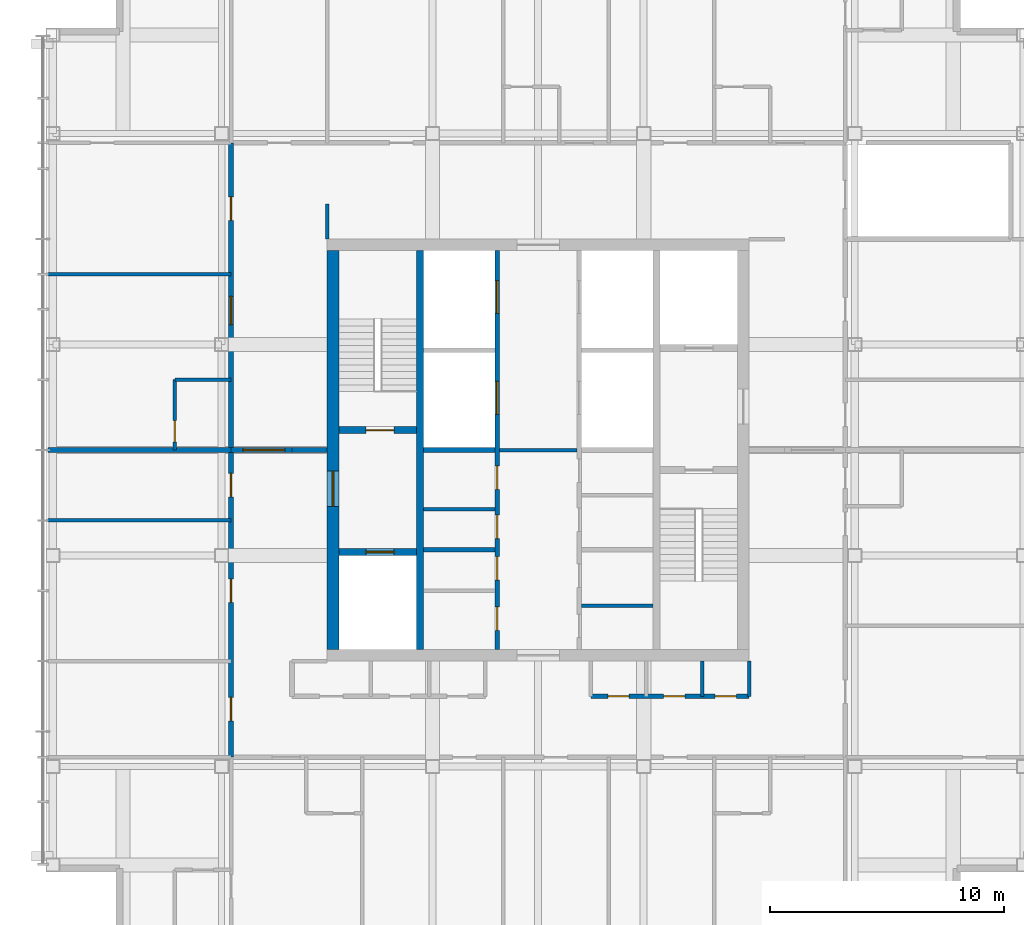
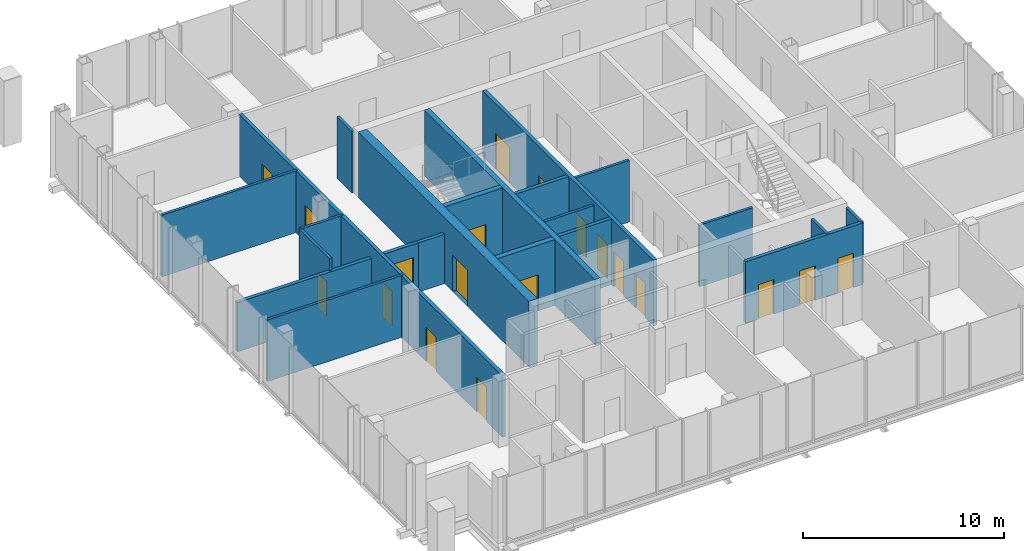
# One storey, part 8 of 12: 22 walls, 19 doors, 19 openings.
"""IFC4 building model written with IfcOpenShell, lengths in metres."""

from ifc_helpers import new_model, si_unit, direction, frame, frame_2d, origin, place, context, subcontext, project, spatial, rectangle, extrude, material, layer, layer_set, type_object, element, fill, save


model = new_model("IFC4")

# Units and contexts
model_context = context("Model", 3, precision=1e-05, world=origin(), true_north=direction((0.0, 1.0)))
body_context = subcontext(model_context, "Body", "Model", "MODEL_VIEW")
ifc_project = project(units=[si_unit("LENGTHUNIT", "METRE"), si_unit("AREAUNIT", "SQUARE_METRE"), si_unit("VOLUMEUNIT", "CUBIC_METRE"), si_unit("PLANEANGLEUNIT", "RADIAN"), si_unit("MASSUNIT", "GRAM", prefix="KILO")], contexts=[model_context])

# Site, building, storey
site_placement = place(None, origin())
site = spatial("IfcSite", under=ifc_project, at=site_placement, CompositionType="ELEMENT")
building_placement = place(site_placement, origin())
building = spatial("IfcBuilding", under=site, at=building_placement, Name="Malebo Sky Hospital", CompositionType="ELEMENT")
storey_placement = place(building_placement, frame((0.0, 0.0, 286.0)))
storey = spatial("IfcBuildingStorey", under=building, at=storey_placement, Name="L69", CompositionType="ELEMENT", Elevation=286.0)

# Wall, openings, doors
ifc_material_1 = material(Name="Concrete C80/95", Category="concrete")
ifc_layer_1 = layer(ifc_material_1, 0.199951171875)
ifc_layer_set_1 = layer_set([ifc_layer_1], Name="CORE INNER WALL 200")
wall_type_1 = type_object("IfcWallType", Name="CORE INNER WALL 200", PredefinedType="SHEAR", material=ifc_layer_set_1)
wall_1_placement = place(storey_placement, frame((58.25, 53.5, 0.0), z_axis=(0.0, 0.0, 1.0), x_axis=(0.0, 1.0, 0.0)))
wall_1 = element("IfcWall", 1, at=wall_1_placement, inside=storey, type_object=wall_type_1, Name="Core wall LW L69", PredefinedType="SHEAR", context=body_context, shape_type="SweptSolid", body=[
    extrude(rectangle(XDim=17.0, YDim=0.199951171875, at=frame_2d((8.5, 0.0))), origin(), (0.0, 0.0, 1.0), 4.0),
])
opening_1_placement = place(wall_1_placement, frame((0.8076171875, 0.0, 0.0)))
opening_1 = element("IfcOpeningElement", 2, at=opening_1_placement, cuts=wall_1, Name="Opening D17", PredefinedType="OPENING", context=body_context, shape_type="SweptSolid", body=[
    extrude(rectangle(XDim=1.0, YDim=2.10009765625, at=frame_2d((0.5, 1.050048828125))), frame((0.0, 0.10986328125, 0.0), z_axis=(0.0, -1.0, 0.0), x_axis=(1.0, 0.0, 0.0)), (0.0, 0.0, 1.0), 0.219970703125),
])
opening_2_placement = place(wall_1_placement, frame((2.95751953125, 0.0, 0.0)))
opening_2 = element("IfcOpeningElement", 3, at=opening_2_placement, cuts=wall_1, Name="Opening D17", PredefinedType="OPENING", context=body_context, shape_type="SweptSolid", body=[
    extrude(rectangle(XDim=1.0, YDim=2.10009765625, at=frame_2d((0.5, 1.050048828125))), frame((0.0, 0.10986328125, 0.0), z_axis=(0.0, -1.0, 0.0), x_axis=(1.0, 0.0, 0.0)), (0.0, 0.0, 1.0), 0.219970703125),
])
opening_3_placement = place(wall_1_placement, frame((4.722412109375, 0.0, 0.0)))
opening_3 = element("IfcOpeningElement", 4, at=opening_3_placement, cuts=wall_1, Name="Opening D17", PredefinedType="OPENING", context=body_context, shape_type="SweptSolid", body=[
    extrude(rectangle(XDim=1.0, YDim=2.10009765625, at=frame_2d((0.5, 1.050048828125))), frame((0.0, 0.10986328125, 0.0), z_axis=(0.0, -1.0, 0.0), x_axis=(1.0, 0.0, 0.0)), (0.0, 0.0, 1.0), 0.219970703125),
])
opening_4_placement = place(wall_1_placement, frame((6.822509765625, 0.0, 0.0)))
opening_4 = element("IfcOpeningElement", 5, at=opening_4_placement, cuts=wall_1, Name="Opening D17", PredefinedType="OPENING", context=body_context, shape_type="SweptSolid", body=[
    extrude(rectangle(XDim=1.0, YDim=2.10009765625, at=frame_2d((0.5, 1.050048828125))), frame((0.0, 0.10986328125, 0.0), z_axis=(0.0, -1.0, 0.0), x_axis=(1.0, 0.0, 0.0)), (0.0, 0.0, 1.0), 0.219970703125),
])
opening_5_placement = place(wall_1_placement, frame((10.02490234375, 0.0, 0.0)))
opening_5 = element("IfcOpeningElement", 6, at=opening_5_placement, cuts=wall_1, Name="Opening LD1", PredefinedType="OPENING", context=body_context, shape_type="SweptSolid", body=[
    extrude(rectangle(XDim=1.39990234375, YDim=2.199951171875, at=frame_2d((0.699951171875, 1.10009765625))), frame((0.0, 0.10986328125, 0.0), z_axis=(0.0, -1.0, 0.0), x_axis=(1.0, 0.0, 0.0)), (0.0, 0.0, 1.0), 0.219970703125),
])
opening_6_placement = place(wall_1_placement, frame((14.324951171875, 0.0, 0.0)))
opening_6 = element("IfcOpeningElement", 7, at=opening_6_placement, cuts=wall_1, Name="Opening LD1", PredefinedType="OPENING", context=body_context, shape_type="SweptSolid", body=[
    extrude(rectangle(XDim=1.39990234375, YDim=2.199951171875, at=frame_2d((0.699951171875, 1.10009765625))), frame((0.0, 0.10986328125, 0.0), z_axis=(0.0, -1.0, 0.0), x_axis=(1.0, 0.0, 0.0)), (0.0, 0.0, 1.0), 0.219970703125),
])
ifc_material_2 = material(Name="Hardwood-faced door leaf in steel frame", Category="steel")
door_type_1 = type_object("IfcDoorType", Name="FIRE DOOR 1000", OperationType="SINGLE_SWING_LEFT", PredefinedType="DOOR", material=ifc_material_2)
door_1_placement = place(opening_1_placement, origin())
door_1 = element("IfcDoor", 8, at=door_1_placement, inside=storey, type_object=door_type_1, Name="Mattress store door", OperationType="SINGLE_SWING_RIGHT", OverallHeight=2.10009765625, OverallWidth=1.0, PredefinedType="DOOR", context=body_context, shape_type="SweptSolid", body=[
    extrude(rectangle(XDim=1.0, YDim=2.10009765625, at=frame_2d((0.5, 1.050048828125))), frame((0.0, 0.02490234375, 0.0), z_axis=(0.0, -1.0, 0.0), x_axis=(1.0, 0.0, 0.0)), (0.0, 0.0, 1.0), 0.050048828125),
])
fill(opening_1, door_1)
door_2_placement = place(opening_2_placement, origin())
door_2 = element("IfcDoor", 9, at=door_2_placement, inside=storey, type_object=door_type_1, Name="Cleaning equipment store door", OperationType="SINGLE_SWING_RIGHT", OverallHeight=2.10009765625, OverallWidth=1.0, PredefinedType="DOOR", context=body_context, shape_type="SweptSolid", body=[
    extrude(rectangle(XDim=1.0, YDim=2.10009765625, at=frame_2d((0.5, 1.050048828125))), frame((0.0, 0.02490234375, 0.0), z_axis=(0.0, -1.0, 0.0), x_axis=(1.0, 0.0, 0.0)), (0.0, 0.0, 1.0), 0.050048828125),
])
fill(opening_2, door_2)
door_3_placement = place(opening_3_placement, origin())
door_3 = element("IfcDoor", 10, at=door_3_placement, inside=storey, type_object=door_type_1, Name="Archive store door", OperationType="SINGLE_SWING_RIGHT", OverallHeight=2.10009765625, OverallWidth=1.0, PredefinedType="DOOR", context=body_context, shape_type="SweptSolid", body=[
    extrude(rectangle(XDim=1.0, YDim=2.10009765625, at=frame_2d((0.5, 1.050048828125))), frame((0.0, 0.02490234375, 0.0), z_axis=(0.0, -1.0, 0.0), x_axis=(1.0, 0.0, 0.0)), (0.0, 0.0, 1.0), 0.050048828125),
])
fill(opening_3, door_3)
door_4_placement = place(opening_4_placement, origin())
door_4 = element("IfcDoor", 11, at=door_4_placement, inside=storey, type_object=door_type_1, Name="General store door", OperationType="SINGLE_SWING_RIGHT", OverallHeight=2.10009765625, OverallWidth=1.0, PredefinedType="DOOR", context=body_context, shape_type="SweptSolid", body=[
    extrude(rectangle(XDim=1.0, YDim=2.10009765625, at=frame_2d((0.5, 1.050048828125))), frame((0.0, 0.02490234375, 0.0), z_axis=(0.0, -1.0, 0.0), x_axis=(1.0, 0.0, 0.0)), (0.0, 0.0, 1.0), 0.050048828125),
])
fill(opening_4, door_4)
ifc_material_3 = material(Name="Stainless steel sliding landing door", Category="steel")
door_type_2 = type_object("IfcDoorType", Name="LIFT LANDING DOOR 1400", OperationType="SLIDING_TO_LEFT", PredefinedType="DOOR", material=ifc_material_3)
door_5_placement = place(opening_5_placement, origin())
door_5 = element("IfcDoor", 12, at=door_5_placement, inside=storey, type_object=door_type_2, Name="Lift W3 landing door", OperationType="SLIDING_TO_LEFT", OverallHeight=2.199951171875, OverallWidth=1.39990234375, PredefinedType="DOOR", context=body_context, shape_type="SweptSolid", body=[
    extrude(rectangle(XDim=1.39990234375, YDim=2.199951171875, at=frame_2d((0.699951171875, 1.10009765625))), frame((0.0, 0.02490234375, 0.0), z_axis=(0.0, -1.0, 0.0), x_axis=(1.0, 0.0, 0.0)), (0.0, 0.0, 1.0), 0.050048828125),
])
fill(opening_5, door_5)
door_6_placement = place(opening_6_placement, origin())
door_6 = element("IfcDoor", 13, at=door_6_placement, inside=storey, type_object=door_type_2, Name="Lift W4 landing door", OperationType="SLIDING_TO_LEFT", OverallHeight=2.199951171875, OverallWidth=1.39990234375, PredefinedType="DOOR", context=body_context, shape_type="SweptSolid", body=[
    extrude(rectangle(XDim=1.39990234375, YDim=2.199951171875, at=frame_2d((0.699951171875, 1.10009765625))), frame((0.0, 0.02490234375, 0.0), z_axis=(0.0, -1.0, 0.0), x_axis=(1.0, 0.0, 0.0)), (0.0, 0.0, 1.0), 0.050048828125),
])
fill(opening_6, door_6)

# Walls
for number, where, z_axis, x_axis, name in (
    (14, (55.10009765625, 57.75, 0.0), (0.0, 0.0, 1.0), (1.0, 0.0, 0.0), "Core wall SW0 L69"),
    (15, (55.10009765625, 62.0, 0.0), (0.0, 0.0, 1.0), (1.0, 0.0, 0.0), "Core wall SW1 L69"),
):
    element("IfcWall", number, at=place(storey_placement, frame(where, z_axis=z_axis, x_axis=x_axis)), inside=storey, type_object=wall_type_1, Name=name, PredefinedType="SHEAR", context=body_context, shape_type="SweptSolid", body=[
        extrude(rectangle(XDim=3.0498046875, YDim=0.199951171875, at=frame_2d((1.52490234375, 0.0))), origin(), (0.0, 0.0, 1.0), 4.0),
    ])
ifc_layer_2 = layer(ifc_material_1, 0.300048828125)
ifc_layer_set_2 = layer_set([ifc_layer_2], Name="CORE INNER WALL 300")
wall_type_2 = type_object("IfcWallType", Name="CORE INNER WALL 300", PredefinedType="SHEAR", material=ifc_layer_set_2)
wall_2_placement = place(storey_placement, frame((54.949951171875, 53.5, 0.0), z_axis=(0.0, 0.0, 1.0), x_axis=(0.0, 1.0, 0.0)))
element("IfcWall", 16, at=wall_2_placement, inside=storey, type_object=wall_type_2, Name="Core wall XW L69", PredefinedType="SHEAR", context=body_context, shape_type="SweptSolid", body=[
    extrude(rectangle(XDim=17.0, YDim=0.300048828125, at=frame_2d((8.5, 0.0))), origin(), (0.0, 0.0, 1.0), 4.0),
])

# Wall, opening, door
wall_3_placement = place(storey_placement, frame((51.5, 62.85009765625, 0.0), z_axis=(0.0, 0.0, 1.0), x_axis=(1.0, 0.0, 0.0)))
wall_3 = element("IfcWall", 17, at=wall_3_placement, inside=storey, type_object=wall_type_2, Name="Core wall W1 L69", PredefinedType="SHEAR", context=body_context, shape_type="SweptSolid", body=[
    extrude(rectangle(XDim=3.300048828125, YDim=0.300048828125, at=frame_2d((1.64990234375, 0.0))), origin(), (0.0, 0.0, 1.0), 4.0),
])
opening_7_placement = place(wall_3_placement, frame((1.14990234375, 0.0, 0.0)))
opening_7 = element("IfcOpeningElement", 18, at=opening_7_placement, cuts=wall_3, Name="Opening D08", PredefinedType="OPENING", context=body_context, shape_type="SweptSolid", body=[
    extrude(rectangle(XDim=1.199951171875, YDim=2.10009765625, at=frame_2d((0.60009765625, 1.050048828125))), frame((0.0, 0.159912109375, 0.0), z_axis=(0.0, -1.0, 0.0), x_axis=(1.0, 0.0, 0.0)), (0.0, 0.0, 1.0), 0.320068359375),
])
door_type_3 = type_object("IfcDoorType", Name="STAIR DOOR 1200", OperationType="SINGLE_SWING_LEFT", PredefinedType="DOOR", material=ifc_material_2)
door_7_placement = place(opening_7_placement, origin())
door_7 = element("IfcDoor", 19, at=door_7_placement, inside=storey, type_object=door_type_3, Name="Stair S1 door", OperationType="SINGLE_SWING_RIGHT", OverallHeight=2.10009765625, OverallWidth=1.199951171875, PredefinedType="DOOR", context=body_context, shape_type="SweptSolid", body=[
    extrude(rectangle(XDim=1.199951171875, YDim=2.10009765625, at=frame_2d((0.60009765625, 1.050048828125))), frame((0.0, 0.02490234375, 0.0), z_axis=(0.0, -1.0, 0.0), x_axis=(1.0, 0.0, 0.0)), (0.0, 0.0, 1.0), 0.050048828125),
])
fill(opening_7, door_7)

wall_4_placement = place(storey_placement, frame((51.5, 57.64990234375, 0.0), z_axis=(0.0, 0.0, 1.0), x_axis=(1.0, 0.0, 0.0)))
wall_4 = element("IfcWall", 20, at=wall_4_placement, inside=storey, type_object=wall_type_2, Name="Core wall W2 L69", PredefinedType="SHEAR", context=body_context, shape_type="SweptSolid", body=[
    extrude(rectangle(XDim=3.300048828125, YDim=0.300048828125, at=frame_2d((1.64990234375, 0.0))), origin(), (0.0, 0.0, 1.0), 4.0),
])
opening_8_placement = place(wall_4_placement, frame((1.14990234375, 0.0, 0.0)))
opening_8 = element("IfcOpeningElement", 21, at=opening_8_placement, cuts=wall_4, Name="Opening LD2", PredefinedType="OPENING", context=body_context, shape_type="SweptSolid", body=[
    extrude(rectangle(XDim=1.199951171875, YDim=2.199951171875, at=frame_2d((0.60009765625, 1.10009765625))), frame((0.0, 0.159912109375, 0.0), z_axis=(0.0, -1.0, 0.0), x_axis=(1.0, 0.0, 0.0)), (0.0, 0.0, 1.0), 0.320068359375),
])
door_type_4 = type_object("IfcDoorType", Name="FIRE-FIGHTING LIFT LANDING DOOR 1200", OperationType="SLIDING_TO_LEFT", PredefinedType="DOOR", material=ifc_material_3)
door_8_placement = place(opening_8_placement, origin())
door_8 = element("IfcDoor", 22, at=door_8_placement, inside=storey, type_object=door_type_4, Name="Lift FL1 landing door", OperationType="SLIDING_TO_LEFT", OverallHeight=2.199951171875, OverallWidth=1.199951171875, PredefinedType="DOOR", context=body_context, shape_type="SweptSolid", body=[
    extrude(rectangle(XDim=1.199951171875, YDim=2.199951171875, at=frame_2d((0.60009765625, 1.10009765625))), frame((0.0, 0.02490234375, 0.0), z_axis=(0.0, -1.0, 0.0), x_axis=(1.0, 0.0, 0.0)), (0.0, 0.0, 1.0), 0.050048828125),
])
fill(opening_8, door_8)

ifc_layer_3 = layer(ifc_material_1, 0.5)
ifc_layer_set_3 = layer_set([ifc_layer_3], Name="CORE WALL 500")
wall_type_3 = type_object("IfcWallType", Name="CORE WALL 500", PredefinedType="SHEAR", material=ifc_layer_set_3)
wall_5_placement = place(storey_placement, frame((51.25, 53.5, 0.0), z_axis=(0.0, 0.0, 1.0), x_axis=(0.0, 1.0, 0.0)))
wall_5 = element("IfcWall", 23, at=wall_5_placement, inside=storey, type_object=wall_type_3, Name="Core wall W L69", PredefinedType="SHEAR", context=body_context, shape_type="SweptSolid", body=[
    extrude(rectangle(XDim=17.0, YDim=0.5, at=frame_2d((8.5, 0.0))), origin(), (0.0, 0.0, 1.0), 4.0),
])
opening_9_placement = place(wall_5_placement, frame((6.10009765625, 0.0, 0.0)))
opening_9 = element("IfcOpeningElement", 24, at=opening_9_placement, cuts=wall_5, Name="Opening D07", PredefinedType="OPENING", context=body_context, shape_type="SweptSolid", body=[
    extrude(rectangle(XDim=1.5, YDim=2.199951171875, at=frame_2d((0.75, 1.10009765625))), frame((0.0, 0.260009765625, 0.0), z_axis=(0.0, -1.0, 0.0), x_axis=(1.0, 0.0, 0.0)), (0.0, 0.0, 1.0), 0.52001953125),
])
door_type_5 = type_object("IfcDoorType", Name="FIRE-FIGHTING LOBBY DOOR PAIR 1500", OperationType="DOUBLE_DOOR_SINGLE_SWING", PredefinedType="DOOR", material=ifc_material_2)
door_9_placement = place(opening_9_placement, origin())
door_9 = element("IfcDoor", 25, at=door_9_placement, inside=storey, type_object=door_type_5, Name="Fire-fighting lobby door west", OperationType="DOUBLE_DOOR_SINGLE_SWING", OverallHeight=2.199951171875, OverallWidth=1.5, PredefinedType="DOOR", context=body_context, shape_type="SweptSolid", body=[
    extrude(rectangle(XDim=1.5, YDim=2.199951171875, at=frame_2d((0.75, 1.10009765625))), frame((0.0, 0.02490234375, 0.0), z_axis=(0.0, -1.0, 0.0), x_axis=(1.0, 0.0, 0.0)), (0.0, 0.0, 1.0), 0.050048828125),
])
fill(opening_9, door_9)

# Wall, openings, doors
ifc_material_4 = material(Name="Gypsum board on steel studs", Category="steel")
ifc_layer_4 = layer(ifc_material_4, 0.199951171875)
ifc_layer_set_4 = layer_set([ifc_layer_4], Name="CORRIDOR WALL 200")
wall_type_4 = type_object("IfcWallType", Name="CORRIDOR WALL 200", PredefinedType="PARTITIONING", material=ifc_layer_set_4)
wall_6_placement = place(storey_placement, frame((46.89990234375, 48.89990234375, 0.0), z_axis=(0.0, 0.0, 1.0), x_axis=(0.0, 1.0, 0.0)))
wall_6 = element("IfcWall", 26, at=wall_6_placement, inside=storey, type_object=wall_type_4, Name="Corridor Wall 200 WCO", PredefinedType="PARTITIONING", context=body_context, shape_type="SweptSolid", body=[
    extrude(rectangle(XDim=26.2001953125, YDim=0.199951171875, at=frame_2d((13.10009765625, 0.0))), origin(), (0.0, 0.0, 1.0), 3.75),
])
opening_10_placement = place(wall_6_placement, frame((1.550048828125, 0.0, 0.0)))
opening_10 = element("IfcOpeningElement", 27, at=opening_10_placement, cuts=wall_6, Name="Opening D03", PredefinedType="OPENING", context=body_context, shape_type="SweptSolid", body=[
    extrude(rectangle(XDim=1.0, YDim=2.10009765625, at=frame_2d((0.5, 1.050048828125))), frame((0.0, 0.10986328125, 0.0), z_axis=(0.0, -1.0, 0.0), x_axis=(1.0, 0.0, 0.0)), (0.0, 0.0, 1.0), 0.219970703125),
])
opening_11_placement = place(wall_6_placement, frame((6.60009765625, 0.0, 0.0)))
opening_11 = element("IfcOpeningElement", 28, at=opening_11_placement, cuts=wall_6, Name="Opening D03", PredefinedType="OPENING", context=body_context, shape_type="SweptSolid", body=[
    extrude(rectangle(XDim=1.0, YDim=2.10009765625, at=frame_2d((0.5, 1.050048828125))), frame((0.0, 0.10986328125, 0.0), z_axis=(0.0, -1.0, 0.0), x_axis=(1.0, 0.0, 0.0)), (0.0, 0.0, 1.0), 0.219970703125),
])
opening_12_placement = place(wall_6_placement, frame((11.10009765625, 0.0, 0.0)))
opening_12 = element("IfcOpeningElement", 29, at=opening_12_placement, cuts=wall_6, Name="Opening D03", PredefinedType="OPENING", context=body_context, shape_type="SweptSolid", body=[
    extrude(rectangle(XDim=1.0, YDim=2.10009765625, at=frame_2d((0.5, 1.050048828125))), frame((0.0, 0.10986328125, 0.0), z_axis=(0.0, -1.0, 0.0), x_axis=(1.0, 0.0, 0.0)), (0.0, 0.0, 1.0), 0.219970703125),
])
opening_13_placement = place(wall_6_placement, frame((18.449951171875, 0.0, 0.0)))
opening_13 = element("IfcOpeningElement", 30, at=opening_13_placement, cuts=wall_6, Name="Opening D01", PredefinedType="OPENING", context=body_context, shape_type="SweptSolid", body=[
    extrude(rectangle(XDim=1.199951171875, YDim=2.199951171875, at=frame_2d((0.60009765625, 1.10009765625))), frame((0.0, 0.10986328125, 0.0), z_axis=(0.0, -1.0, 0.0), x_axis=(1.0, 0.0, 0.0)), (0.0, 0.0, 1.0), 0.219970703125),
])
opening_14_placement = place(wall_6_placement, frame((22.89990234375, 0.0, 0.0)))
opening_14 = element("IfcOpeningElement", 31, at=opening_14_placement, cuts=wall_6, Name="Opening D03", PredefinedType="OPENING", context=body_context, shape_type="SweptSolid", body=[
    extrude(rectangle(XDim=1.0, YDim=2.10009765625, at=frame_2d((0.5, 1.050048828125))), frame((0.0, 0.10986328125, 0.0), z_axis=(0.0, -1.0, 0.0), x_axis=(1.0, 0.0, 0.0)), (0.0, 0.0, 1.0), 0.219970703125),
])
door_type_6 = type_object("IfcDoorType", Name="BED DOOR 1200", OperationType="SINGLE_SWING_LEFT", PredefinedType="DOOR", material=ifc_material_2)
door_10_placement = place(opening_13_placement, origin())
door_10 = element("IfcDoor", 32, at=door_10_placement, inside=storey, type_object=door_type_6, Name="Family suite door", OperationType="SINGLE_SWING_RIGHT", OverallHeight=2.199951171875, OverallWidth=1.199951171875, PredefinedType="DOOR", context=body_context, shape_type="SweptSolid", body=[
    extrude(rectangle(XDim=1.199951171875, YDim=2.199951171875, at=frame_2d((0.60009765625, 1.10009765625))), frame((0.0, 0.02490234375, 0.0), z_axis=(0.0, -1.0, 0.0), x_axis=(1.0, 0.0, 0.0)), (0.0, 0.0, 1.0), 0.050048828125),
])
fill(opening_13, door_10)
door_type_7 = type_object("IfcDoorType", Name="ROOM DOOR 1000", OperationType="SINGLE_SWING_LEFT", PredefinedType="DOOR", material=ifc_material_2)
door_11_placement = place(opening_10_placement, origin())
door_11 = element("IfcDoor", 33, at=door_11_placement, inside=storey, type_object=door_type_7, Name="Clean utility room door", OperationType="SINGLE_SWING_LEFT", OverallHeight=2.10009765625, OverallWidth=1.0, PredefinedType="DOOR", context=body_context, shape_type="SweptSolid", body=[
    extrude(rectangle(XDim=1.0, YDim=2.10009765625, at=frame_2d((0.5, 1.050048828125))), frame((0.0, 0.02490234375, 0.0), z_axis=(0.0, -1.0, 0.0), x_axis=(1.0, 0.0, 0.0)), (0.0, 0.0, 1.0), 0.050048828125),
])
fill(opening_10, door_11)
door_12_placement = place(opening_11_placement, origin())
door_12 = element("IfcDoor", 34, at=door_12_placement, inside=storey, type_object=door_type_7, Name="Relatives' overnight room door", OperationType="SINGLE_SWING_LEFT", OverallHeight=2.10009765625, OverallWidth=1.0, PredefinedType="DOOR", context=body_context, shape_type="SweptSolid", body=[
    extrude(rectangle(XDim=1.0, YDim=2.10009765625, at=frame_2d((0.5, 1.050048828125))), frame((0.0, 0.02490234375, 0.0), z_axis=(0.0, -1.0, 0.0), x_axis=(1.0, 0.0, 0.0)), (0.0, 0.0, 1.0), 0.050048828125),
])
fill(opening_11, door_12)
door_13_placement = place(opening_12_placement, origin())
door_13 = element("IfcDoor", 35, at=door_13_placement, inside=storey, type_object=door_type_7, Name="Medication room door", OperationType="SINGLE_SWING_RIGHT", OverallHeight=2.10009765625, OverallWidth=1.0, PredefinedType="DOOR", context=body_context, shape_type="SweptSolid", body=[
    extrude(rectangle(XDim=1.0, YDim=2.10009765625, at=frame_2d((0.5, 1.050048828125))), frame((0.0, 0.02490234375, 0.0), z_axis=(0.0, -1.0, 0.0), x_axis=(1.0, 0.0, 0.0)), (0.0, 0.0, 1.0), 0.050048828125),
])
fill(opening_12, door_13)
door_14_placement = place(opening_14_placement, origin())
door_14 = element("IfcDoor", 36, at=door_14_placement, inside=storey, type_object=door_type_7, Name="Family room door", OperationType="SINGLE_SWING_RIGHT", OverallHeight=2.10009765625, OverallWidth=1.0, PredefinedType="DOOR", context=body_context, shape_type="SweptSolid", body=[
    extrude(rectangle(XDim=1.0, YDim=2.10009765625, at=frame_2d((0.5, 1.050048828125))), frame((0.0, 0.02490234375, 0.0), z_axis=(0.0, -1.0, 0.0), x_axis=(1.0, 0.0, 0.0)), (0.0, 0.0, 1.0), 0.050048828125),
])
fill(opening_14, door_14)

wall_7_placement = place(storey_placement, frame((69.0, 51.5, 0.0), z_axis=(0.0, 0.0, 1.0), x_axis=(-1.0, 0.0, 0.0)))
wall_7 = element("IfcWall", 37, at=wall_7_placement, inside=storey, type_object=wall_type_4, Name="Corridor Wall 200 SCI1", PredefinedType="PARTITIONING", context=body_context, shape_type="SweptSolid", body=[
    extrude(rectangle(XDim=6.75, YDim=0.199951171875, at=frame_2d((3.375, 0.0))), origin(), (0.0, 0.0, 1.0), 3.75),
])
opening_15_placement = place(wall_7_placement, frame((0.550048828125, 0.0, 0.0)))
opening_15 = element("IfcOpeningElement", 38, at=opening_15_placement, cuts=wall_7, Name="Opening D04", PredefinedType="OPENING", context=body_context, shape_type="SweptSolid", body=[
    extrude(rectangle(XDim=0.89990234375, YDim=2.10009765625, at=frame_2d((0.449951171875, 1.050048828125))), frame((0.0, 0.10986328125, 0.0), z_axis=(0.0, -1.0, 0.0), x_axis=(1.0, 0.0, 0.0)), (0.0, 0.0, 1.0), 0.219970703125),
])
opening_16_placement = place(wall_7_placement, frame((2.75, 0.0, 0.0)))
opening_16 = element("IfcOpeningElement", 39, at=opening_16_placement, cuts=wall_7, Name="Opening D04", PredefinedType="OPENING", context=body_context, shape_type="SweptSolid", body=[
    extrude(rectangle(XDim=0.89990234375, YDim=2.10009765625, at=frame_2d((0.449951171875, 1.050048828125))), frame((0.0, 0.10986328125, 0.0), z_axis=(0.0, -1.0, 0.0), x_axis=(1.0, 0.0, 0.0)), (0.0, 0.0, 1.0), 0.219970703125),
])
opening_17_placement = place(wall_7_placement, frame((5.125, 0.0, 0.0)))
opening_17 = element("IfcOpeningElement", 40, at=opening_17_placement, cuts=wall_7, Name="Opening D04", PredefinedType="OPENING", context=body_context, shape_type="SweptSolid", body=[
    extrude(rectangle(XDim=0.89990234375, YDim=2.10009765625, at=frame_2d((0.449951171875, 1.050048828125))), frame((0.0, 0.10986328125, 0.0), z_axis=(0.0, -1.0, 0.0), x_axis=(1.0, 0.0, 0.0)), (0.0, 0.0, 1.0), 0.219970703125),
])
door_type_8 = type_object("IfcDoorType", Name="ROOM DOOR 900", OperationType="SINGLE_SWING_LEFT", PredefinedType="DOOR", material=ifc_material_2)
door_15_placement = place(opening_15_placement, origin())
door_15 = element("IfcDoor", 41, at=door_15_placement, inside=storey, type_object=door_type_8, Name="Staff WC door", OperationType="SINGLE_SWING_LEFT", OverallHeight=2.10009765625, OverallWidth=0.89990234375, PredefinedType="DOOR", context=body_context, shape_type="SweptSolid", body=[
    extrude(rectangle(XDim=0.89990234375, YDim=2.10009765625, at=frame_2d((0.449951171875, 1.050048828125))), frame((0.0, 0.02490234375, 0.0), z_axis=(0.0, -1.0, 0.0), x_axis=(1.0, 0.0, 0.0)), (0.0, 0.0, 1.0), 0.050048828125),
])
fill(opening_15, door_15)
door_16_placement = place(opening_16_placement, origin())
door_16 = element("IfcDoor", 42, at=door_16_placement, inside=storey, type_object=door_type_8, Name="Cleaner's room door", OperationType="SINGLE_SWING_LEFT", OverallHeight=2.10009765625, OverallWidth=0.89990234375, PredefinedType="DOOR", context=body_context, shape_type="SweptSolid", body=[
    extrude(rectangle(XDim=0.89990234375, YDim=2.10009765625, at=frame_2d((0.449951171875, 1.050048828125))), frame((0.0, 0.02490234375, 0.0), z_axis=(0.0, -1.0, 0.0), x_axis=(1.0, 0.0, 0.0)), (0.0, 0.0, 1.0), 0.050048828125),
])
fill(opening_16, door_16)
door_17_placement = place(opening_17_placement, origin())
door_17 = element("IfcDoor", 43, at=door_17_placement, inside=storey, type_object=door_type_8, Name="Linen store door", OperationType="SINGLE_SWING_LEFT", OverallHeight=2.10009765625, OverallWidth=0.89990234375, PredefinedType="DOOR", context=body_context, shape_type="SweptSolid", body=[
    extrude(rectangle(XDim=0.89990234375, YDim=2.10009765625, at=frame_2d((0.449951171875, 1.050048828125))), frame((0.0, 0.02490234375, 0.0), z_axis=(0.0, -1.0, 0.0), x_axis=(1.0, 0.0, 0.0)), (0.0, 0.0, 1.0), 0.050048828125),
])
fill(opening_17, door_17)

# Walls
ifc_layer_5 = layer(ifc_material_4, 0.14990234375)
ifc_layer_set_5 = layer_set([ifc_layer_5], Name="PARTITION 150")
wall_type_5 = type_object("IfcWallType", Name="PARTITION 150", PredefinedType="PARTITIONING", material=ifc_layer_set_5)
wall_8_placement = place(storey_placement, frame((51.0, 71.0, 0.0), z_axis=(0.0, 0.0, 1.0), x_axis=(0.0, 1.0, 0.0)))
element("IfcWall", 44, at=wall_8_placement, inside=storey, type_object=wall_type_5, Name="Partition 150 NSP0", PredefinedType="PARTITIONING", context=body_context, shape_type="SweptSolid", body=[
    extrude(rectangle(XDim=1.5, YDim=0.14990234375, at=frame_2d((0.75, 0.0))), origin(), (0.0, 0.0, 1.0), 3.75),
])
for number, where, z_axis, x_axis, name in (
    (45, (46.89990234375, 59.0, 0.0), (0.0, 0.0, 1.0), (-1.0, 0.0, 0.0), "Partition 150 WP-3.0"),
    (46, (46.89990234375, 69.5, 0.0), (0.0, 0.0, 1.0), (-1.0, 0.0, 0.0), "Partition 150 WP+7.5"),
):
    element("IfcWall", number, at=place(storey_placement, frame(where, z_axis=z_axis, x_axis=x_axis)), inside=storey, type_object=wall_type_5, Name=name, PredefinedType="PARTITIONING", context=body_context, shape_type="SweptSolid", body=[
        extrude(rectangle(XDim=7.7998046875, YDim=0.14990234375, at=frame_2d((3.89990234375, 0.0))), origin(), (0.0, 0.0, 1.0), 3.75),
    ])

# Wall, opening, door
wall_9_placement = place(storey_placement, frame((44.5, 62.0, 0.0), z_axis=(0.0, 0.0, 1.0), x_axis=(0.0, 1.0, 0.0)))
wall_9 = element("IfcWall", 47, at=wall_9_placement, inside=storey, type_object=wall_type_5, Name="Partition 150 WE3F", PredefinedType="PARTITIONING", context=body_context, shape_type="SweptSolid", body=[
    extrude(rectangle(XDim=3.0, YDim=0.14990234375, at=frame_2d((1.5, 0.0))), origin(), (0.0, 0.0, 1.0), 3.75),
])
opening_18_placement = place(wall_9_placement, frame((0.35009765625, 0.0, 0.0)))
opening_18 = element("IfcOpeningElement", 48, at=opening_18_placement, cuts=wall_9, Name="Opening D02", PredefinedType="OPENING", context=body_context, shape_type="SweptSolid", body=[
    extrude(rectangle(XDim=0.89990234375, YDim=2.10009765625, at=frame_2d((0.449951171875, 1.050048828125))), frame((0.0, 0.0849609375, 0.0), z_axis=(0.0, -1.0, 0.0), x_axis=(1.0, 0.0, 0.0)), (0.0, 0.0, 1.0), 0.169921875),
])
door_type_9 = type_object("IfcDoorType", Name="EN-SUITE DOOR 900", OperationType="SINGLE_SWING_LEFT", PredefinedType="DOOR", material=ifc_material_2)
door_18_placement = place(opening_18_placement, origin())
door_18 = element("IfcDoor", 49, at=door_18_placement, inside=storey, type_object=door_type_9, Name="En-suite door", OperationType="SINGLE_SWING_LEFT", OverallHeight=2.10009765625, OverallWidth=0.89990234375, PredefinedType="DOOR", context=body_context, shape_type="SweptSolid", body=[
    extrude(rectangle(XDim=0.89990234375, YDim=2.10009765625, at=frame_2d((0.449951171875, 1.050048828125))), frame((0.0, 0.02490234375, 0.0), z_axis=(0.0, -1.0, 0.0), x_axis=(1.0, 0.0, 0.0)), (0.0, 0.0, 1.0), 0.050048828125),
])
fill(opening_18, door_18)

# Walls
wall_10_placement = place(storey_placement, frame((46.89990234375, 65.0, 0.0), z_axis=(0.0, 0.0, 1.0), x_axis=(-1.0, 0.0, 0.0)))
element("IfcWall", 50, at=wall_10_placement, inside=storey, type_object=wall_type_5, Name="Partition 150 WE3S", PredefinedType="PARTITIONING", context=body_context, shape_type="SweptSolid", body=[
    extrude(rectangle(XDim=2.39990234375, YDim=0.14990234375, at=frame_2d((1.199951171875, 0.0))), origin(), (0.0, 0.0, 1.0), 3.75),
])
for number, where, z_axis, x_axis, name in (
    (51, (69.0, 53.0, 0.0), (0.0, 0.0, 1.0), (0.0, -1.0, 0.0), "Partition 150 SSP0"),
    (52, (67.0, 53.0, 0.0), (0.0, 0.0, 1.0), (0.0, -1.0, 0.0), "Partition 150 SSP-7.0"),
):
    element("IfcWall", number, at=place(storey_placement, frame(where, z_axis=z_axis, x_axis=x_axis)), inside=storey, type_object=wall_type_5, Name=name, PredefinedType="PARTITIONING", context=body_context, shape_type="SweptSolid", body=[
        extrude(rectangle(XDim=1.5, YDim=0.14990234375, at=frame_2d((0.75, 0.0))), origin(), (0.0, 0.0, 1.0), 3.75),
    ])
for number, where, z_axis, x_axis, name in (
    (53, (61.85009765625, 55.366943359375, 0.0), (0.0, 0.0, 1.0), (1.0, 0.0, 0.0), "Partition 150 SHE1"),
    (54, (55.10009765625, 59.469970703125, 0.0), (0.0, 0.0, 1.0), (1.0, 0.0, 0.0), "Partition 150 SHW2"),
):
    element("IfcWall", number, at=place(storey_placement, frame(where, z_axis=z_axis, x_axis=x_axis)), inside=storey, type_object=wall_type_5, Name=name, PredefinedType="PARTITIONING", context=body_context, shape_type="SweptSolid", body=[
        extrude(rectangle(XDim=3.0498046875, YDim=0.14990234375, at=frame_2d((1.52490234375, 0.0))), origin(), (0.0, 0.0, 1.0), 3.75),
    ])
wall_11_placement = place(storey_placement, frame((58.35009765625, 62.0, 0.0), z_axis=(0.0, 0.0, 1.0), x_axis=(1.0, 0.0, 0.0)))
element("IfcWall", 55, at=wall_11_placement, inside=storey, type_object=wall_type_5, Name="Partition 150 LBS", PredefinedType="PARTITIONING", context=body_context, shape_type="SweptSolid", body=[
    extrude(rectangle(XDim=3.2998046875, YDim=0.14990234375, at=frame_2d((1.64990234375, 0.0))), origin(), (0.0, 0.0, 1.0), 3.75),
])
ifc_material_5 = material(Name="Concrete blockwork", Category="masonry")
ifc_layer_6 = layer(ifc_material_5, 0.199951171875)
ifc_layer_set_6 = layer_set([ifc_layer_6], Name="SMOKE BARRIER WALL 200")
wall_type_6 = type_object("IfcWallType", Name="SMOKE BARRIER WALL 200", PredefinedType="SOLIDWALL", material=ifc_layer_set_6)
wall_12_placement = place(storey_placement, frame((46.89990234375, 62.0, 0.0), z_axis=(0.0, 0.0, 1.0), x_axis=(-1.0, 0.0, 0.0)))
element("IfcWall", 56, at=wall_12_placement, inside=storey, type_object=wall_type_6, Name="Smoke Barrier Wall 200 WP+0.0", PredefinedType="SOLIDWALL", context=body_context, shape_type="SweptSolid", body=[
    extrude(rectangle(XDim=7.7998046875, YDim=0.199951171875, at=frame_2d((3.89990234375, 0.0))), origin(), (0.0, 0.0, 1.0), 2.9970703125),
])
wall_13_placement = place(storey_placement, frame((51.0, 62.0, 0.0), z_axis=(0.0, 0.0, 1.0), x_axis=(-1.0, 0.0, 0.0)))
element("IfcWall", 57, at=wall_13_placement, inside=storey, type_object=wall_type_6, Name="Smoke Barrier Wall 200 WSPB", PredefinedType="SOLIDWALL", context=body_context, shape_type="SweptSolid", body=[
    extrude(rectangle(XDim=1.5, YDim=0.199951171875, at=frame_2d((0.75, 0.0))), origin(), (0.0, 0.0, 1.0), 2.9970703125),
])

# Wall, opening, door
wall_14_placement = place(storey_placement, frame((49.5, 62.0, 0.0), z_axis=(0.0, 0.0, 1.0), x_axis=(-1.0, 0.0, 0.0)))
wall_14 = element("IfcWall", 58, at=wall_14_placement, inside=storey, type_object=wall_type_6, Name="Smoke Barrier Wall 200 WSB", PredefinedType="SOLIDWALL", context=body_context, shape_type="SweptSolid", body=[
    extrude(rectangle(XDim=2.60009765625, YDim=0.199951171875, at=frame_2d((1.300048828125, 0.0))), origin(), (0.0, 0.0, 1.0), 2.9970703125),
])
opening_19_placement = place(wall_14_placement, frame((0.300048828125, 0.0, 0.0)))
opening_19 = element("IfcOpeningElement", 59, at=opening_19_placement, cuts=wall_14, Name="Opening D05", PredefinedType="OPENING", context=body_context, shape_type="SweptSolid", body=[
    extrude(rectangle(XDim=1.800048828125, YDim=2.199951171875, at=frame_2d((0.89990234375, 1.10009765625))), frame((0.0, 0.10986328125, 0.0), z_axis=(0.0, -1.0, 0.0), x_axis=(1.0, 0.0, 0.0)), (0.0, 0.0, 1.0), 0.219970703125),
])
door_type_10 = type_object("IfcDoorType", Name="SMOKE DOOR PAIR 1800", OperationType="DOUBLE_DOOR_DOUBLE_SWING", PredefinedType="DOOR", material=ifc_material_2)
door_19_placement = place(opening_19_placement, origin())
door_19 = element("IfcDoor", 60, at=door_19_placement, inside=storey, type_object=door_type_10, Name="Smoke compartment door pair", OperationType="DOUBLE_DOOR_DOUBLE_SWING", OverallHeight=2.199951171875, OverallWidth=1.800048828125, PredefinedType="DOOR", context=body_context, shape_type="SweptSolid", body=[
    extrude(rectangle(XDim=1.800048828125, YDim=2.199951171875, at=frame_2d((0.89990234375, 1.10009765625))), frame((0.0, 0.02490234375, 0.0), z_axis=(0.0, -1.0, 0.0), x_axis=(1.0, 0.0, 0.0)), (0.0, 0.0, 1.0), 0.050048828125),
])
fill(opening_19, door_19)

save(model, "model.ifc")
